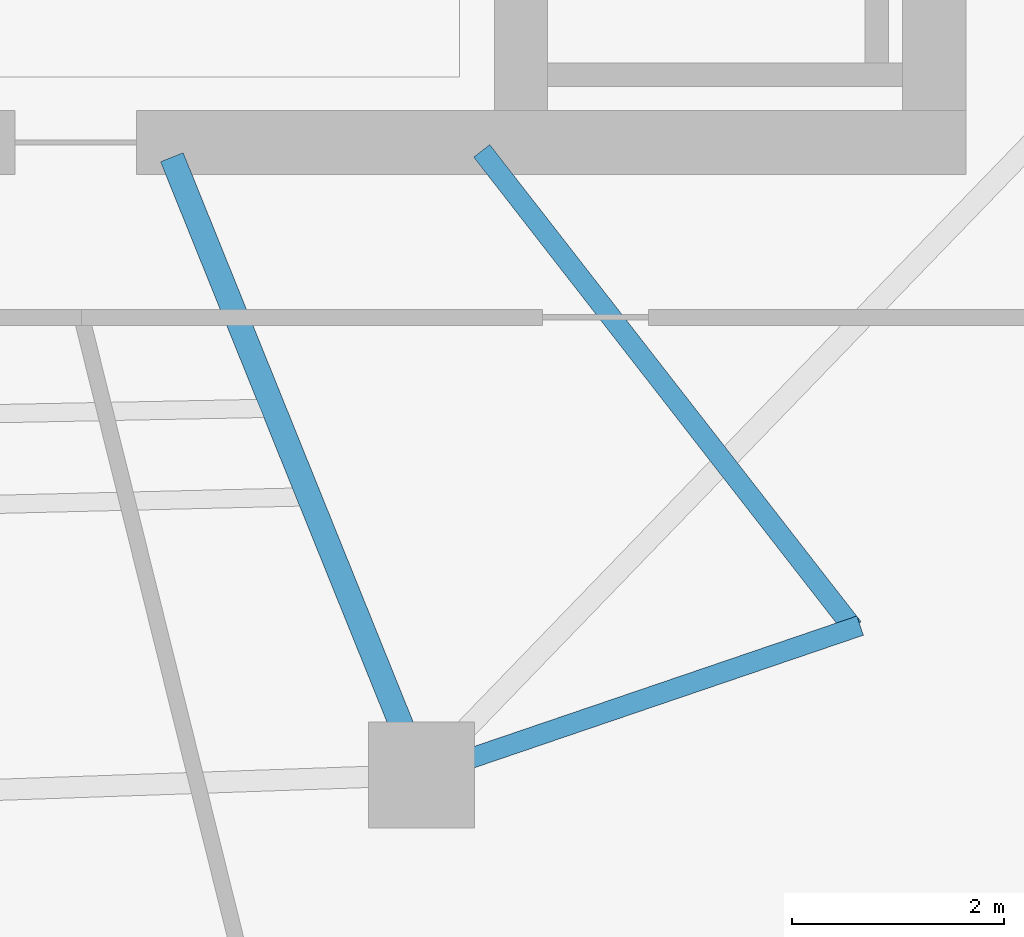
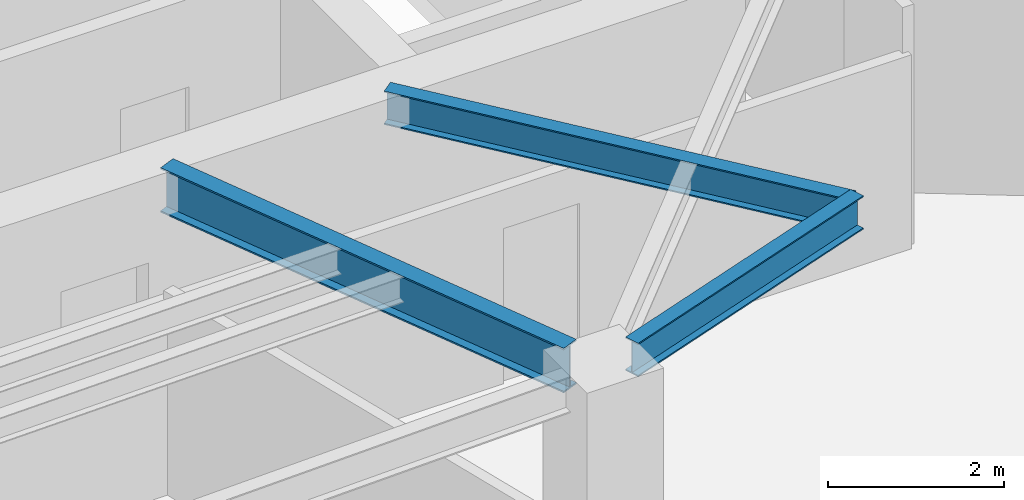
# One storey, part 5 of 21: 3 beams.
"""IFC4 building model written with IfcOpenShell, lengths in metres."""

from ifc_helpers import new_model, si_unit, direction, frame, origin, origin_2d, place, context, subcontext, project, spatial, i_section, extrude, material, material_profile, profile_set, type_object, element, save


model = new_model("IFC4")

# Units and contexts
model_context = context("Model", 3, precision=1e-05, world=origin(), true_north=direction((0.0, 1.0)))
body_context = subcontext(model_context, "Body", "Model", "MODEL_VIEW")
ifc_project = project(units=[si_unit("LENGTHUNIT", "METRE"), si_unit("AREAUNIT", "SQUARE_METRE"), si_unit("VOLUMEUNIT", "CUBIC_METRE"), si_unit("PLANEANGLEUNIT", "RADIAN"), si_unit("MASSUNIT", "GRAM", prefix="KILO")], contexts=[model_context])

# Site, building, storey
site_placement = place(None, origin())
site = spatial("IfcSite", under=ifc_project, at=site_placement, CompositionType="ELEMENT")
building_placement = place(site_placement, origin())
building = spatial("IfcBuilding", under=site, at=building_placement, Name="Qarnah Convention Tower", CompositionType="ELEMENT")
storey_placement = place(building_placement, frame((0.0, 0.0, 158.10009765625)))
storey = spatial("IfcBuildingStorey", under=building, at=storey_placement, Name="L42", CompositionType="ELEMENT", Elevation=158.10009765625)

# Beams
ifc_material = material(Name="Structural steel S355JR", Category="steel")
ifc_material_profile_1 = material_profile(ifc_material, i_section(OverallWidth=0.19189453125, OverallDepth=0.464111328125, WebThickness=0.010986328125, FlangeThickness=0.01806640625, at=origin_2d()), Name="W460X89")
ifc_profile_set_1 = profile_set([ifc_material_profile_1], Name="Structural steel S355JR")
beam_type_1 = type_object("IfcBeamType", Name="BM-CANT-W460A", PredefinedType="BEAM", material=ifc_profile_set_1)
beam_1_placement = place(storey_placement, frame((43.3310546875, 18.52099609375, 3.087890625), z_axis=(0.614224930977, -0.789130999369, 0.0), x_axis=(0.789130999369, 0.614224930977, 0.0)))
element("IfcBeam", 1, at=beam_1_placement, inside=storey, type_object=beam_type_1, Name="L42 beam BM-L42-CNT-03-1", PredefinedType="BEAM", context=body_context, shape_type="SweptSolid", body=[
    extrude(i_section(OverallWidth=0.19189453125, OverallDepth=0.464111328125, WebThickness=0.010986328125, FlangeThickness=0.01806640625, at=origin_2d()), origin(), (0.0, 0.0, 1.0), 5.706298828125),
])
beam_2_placement = place(storey_placement, frame((46.902099609375, 14.041015625, 3.087890625), z_axis=(-0.946581312558, -0.322465220939, 0.0), x_axis=(0.322465220939, -0.946581312558, 0.0)))
element("IfcBeam", 2, at=beam_2_placement, inside=storey, type_object=beam_type_1, Name="L42 spandrel BM-L42-CTIE-03", PredefinedType="SPANDREL", context=body_context, shape_type="SweptSolid", body=[
    extrude(i_section(OverallWidth=0.19189453125, OverallDepth=0.464111328125, WebThickness=0.010986328125, FlangeThickness=0.01806640625, at=origin_2d()), origin(), (0.0, 0.0, 1.0), 3.88232421875),
])
ifc_material_profile_2 = material_profile(ifc_material, i_section(OverallWidth=0.22998046875, OverallDepth=0.617919921875, WebThickness=0.012939453125, FlangeThickness=0.02197265625, at=origin_2d()), Name="W610X140")
ifc_profile_set_2 = profile_set([ifc_material_profile_2], Name="Structural steel S355JR")
beam_type_2 = type_object("IfcBeamType", Name="BM-RAD-W610A", PredefinedType="BEAM", material=ifc_profile_set_2)
beam_3_placement = place(storey_placement, frame((40.406982421875, 18.4609375, 3.010986328125), z_axis=(0.374656949885, -0.927163507642, 0.0), x_axis=(0.927163507642, 0.374656949885, 0.0)))
element("IfcBeam", 3, at=beam_3_placement, inside=storey, type_object=beam_type_2, Name="L42 beam BM-L42-RAD-08", PredefinedType="BEAM", context=body_context, shape_type="SweptSolid", body=[
    extrude(i_section(OverallWidth=0.22998046875, OverallDepth=0.617919921875, WebThickness=0.012939453125, FlangeThickness=0.02197265625, at=origin_2d()), origin(), (0.0, 0.0, 1.0), 5.80810546875),
])

save(model, "model.ifc")
